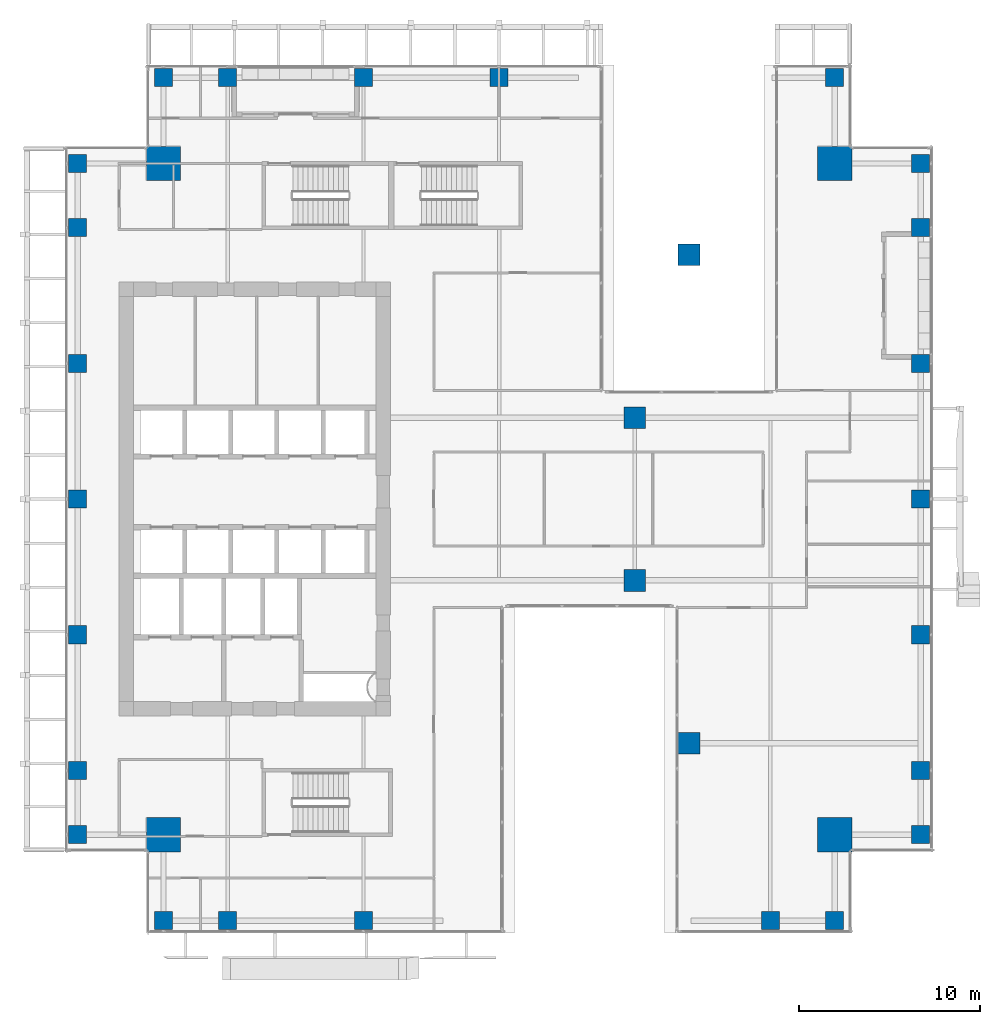
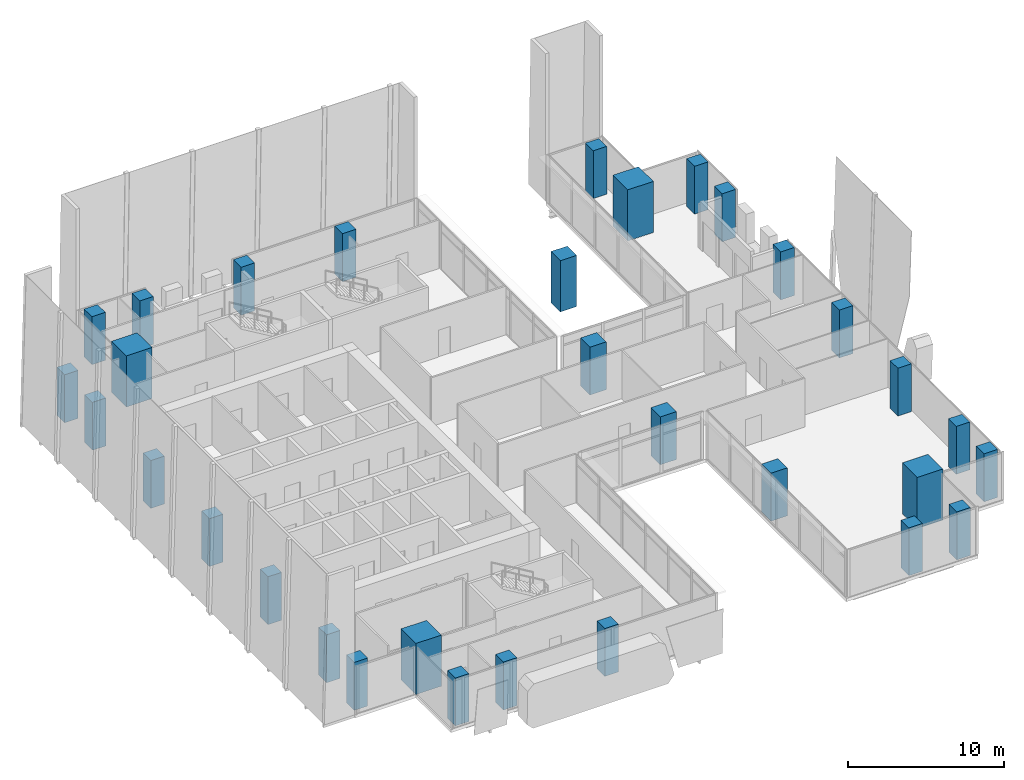
# One storey, part 1 of 40: 32 columns.
"""IFC4 building model written with IfcOpenShell, lengths in metres."""

from ifc_helpers import new_model, si_unit, direction, frame, origin, origin_2d, place, context, subcontext, project, spatial, rectangle, extrude, source, transform, mapped, material, material_profile, profile_set, type_object, element, save


model = new_model("IFC4")

# Units and contexts
model_context = context("Model", 3, precision=1e-05, world=origin(), true_north=direction((0.0, 1.0)))
body_context = subcontext(model_context, "Body", "Model", "MODEL_VIEW")
ifc_project = project(units=[si_unit("LENGTHUNIT", "METRE"), si_unit("AREAUNIT", "SQUARE_METRE"), si_unit("VOLUMEUNIT", "CUBIC_METRE"), si_unit("PLANEANGLEUNIT", "RADIAN"), si_unit("MASSUNIT", "GRAM", prefix="KILO")], contexts=[model_context])

# Site, building, storey
site_placement = place(None, origin())
site = spatial("IfcSite", under=ifc_project, at=site_placement, CompositionType="ELEMENT")
building_placement = place(site_placement, origin())
building = spatial("IfcBuilding", under=site, at=building_placement, Name="Khomas Fold Tower", CompositionType="ELEMENT")
storey_placement = place(building_placement, frame((0.0, 0.0, 176.699951171875)))
storey = spatial("IfcBuildingStorey", under=building, at=storey_placement, Name="L38", CompositionType="ELEMENT", Elevation=176.699951171875)

# Columns
ifc_material_1 = material(Name="Concrete C60/75", Category="concrete")
ifc_material_profile_1 = material_profile(ifc_material_1, rectangle(XDim=1.199951171875, YDim=1.199951171875, at=origin_2d()), Name="RC 1200x1200")
ifc_profile_set_1 = profile_set([ifc_material_profile_1], Name="Concrete C60/75")
column_type_1 = type_object("IfcColumnType", Name="RC 1200x1200 column", PredefinedType="COLUMN", material=ifc_profile_set_1)
shared_shape_1 = source(origin(), body_context, "Body", "SweptSolid", [
    extrude(rectangle(XDim=1.199951171875, YDim=1.199951171875, at=origin_2d()), origin(), (0.0, 0.0, 1.0), 4.0),
])
column_placement = place(storey_placement, frame((37.5, 40.5, 0.0), z_axis=(0.0, 0.0, 1.0), x_axis=(1.0, 0.0, 0.0)))
element("IfcColumn", 1, at=column_placement, inside=storey, type_object=column_type_1, Name="C-11-P", PredefinedType="COLUMN", context=body_context, shape_type="MappedRepresentation", body=[
    mapped(shared_shape_1, transform((0.0, 0.0, 0.0))),
])
ifc_material_2 = material(Name="Concrete C60/75", Category="concrete")
ifc_material_profile_2 = material_profile(ifc_material_2, rectangle(XDim=1.89990234375, YDim=1.89990234375, at=origin_2d()), Name="RC 1900x1900")
ifc_profile_set_2 = profile_set([ifc_material_profile_2], Name="Concrete C60/75")
column_type_2 = type_object("IfcColumnType", Name="RC 1900x1900 column", PredefinedType="COLUMN", material=ifc_profile_set_2)
shared_shape_2 = source(origin(), body_context, "Body", "SweptSolid", [
    extrude(rectangle(XDim=1.89990234375, YDim=1.89990234375, at=origin_2d()), origin(), (0.0, 0.0, 1.0), 4.0),
])
for number, where, z_axis, x_axis, name in (
    (2, (45.550048828125, 45.550048828125, 0.0), (0.0, 0.0, 1.0), (1.0, 0.0, 0.0), "CM-NE"),
    (3, (8.449951171875, 45.550048828125, 0.0), (0.0, 0.0, 1.0), (1.0, 0.0, 0.0), "CM-NW"),
    (4, (45.550048828125, 8.449951171875, 0.0), (0.0, 0.0, 1.0), (1.0, 0.0, 0.0), "CM-SE"),
    (5, (8.449951171875, 8.449951171875, 0.0), (0.0, 0.0, 1.0), (1.0, 0.0, 0.0), "CM-SW"),
):
    element("IfcColumn", number, at=place(storey_placement, frame(where, z_axis=z_axis, x_axis=x_axis)), inside=storey, type_object=column_type_2, Name=name, PredefinedType="COLUMN", context=body_context, shape_type="MappedRepresentation", body=[
        mapped(shared_shape_2, transform((0.0, 0.0, 0.0))),
    ])
ifc_material_3 = material(Name="Concrete C50/60", Category="concrete")
ifc_material_profile_3 = material_profile(ifc_material_3, rectangle(XDim=1.0, YDim=1.0, at=origin_2d()), Name="RC 1000x1000")
ifc_profile_set_3 = profile_set([ifc_material_profile_3], Name="Concrete C50/60")
column_type_3 = type_object("IfcColumnType", Name="RC 1000x1000 column", PredefinedType="COLUMN", material=ifc_profile_set_3)
shared_shape_3 = source(origin(), body_context, "Body", "SweptSolid", [
    extrude(rectangle(XDim=1.0, YDim=1.0, at=origin_2d()), origin(), (0.0, 0.0, 1.0), 3.75),
])
for number, where, z_axis, x_axis, name in (
    (6, (8.449951171875, 3.699951171875, 0.0), (0.0, 0.0, 1.0), (1.0, 0.0, 0.0), "C-4-SF3"),
    (7, (12.0, 3.699951171875, 0.0), (0.0, 0.0, 1.0), (1.0, 0.0, 0.0), "C-6-SF3"),
    (8, (19.5, 3.699951171875, 0.0), (0.0, 0.0, 1.0), (1.0, 0.0, 0.0), "C-8-SF3"),
    (9, (42.0, 3.699951171875, 0.0), (0.0, 0.0, 1.0), (1.0, 0.0, 0.0), "C-13-SF3"),
    (10, (45.550048828125, 3.699951171875, 0.0), (0.0, 0.0, 1.0), (1.0, 0.0, 0.0), "C-15-SF3"),
    (11, (50.300048828125, 8.449951171875, 0.0), (0.0, 0.0, 1.0), (1.0, 0.0, 0.0), "C-E3-D"),
    (12, (50.300048828125, 12.0, 0.0), (0.0, 0.0, 1.0), (1.0, 0.0, 0.0), "C-E3-F"),
    (13, (50.300048828125, 19.5, 0.0), (0.0, 0.0, 1.0), (1.0, 0.0, 0.0), "C-E3-J"),
    (14, (50.300048828125, 27.0, 0.0), (0.0, 0.0, 1.0), (1.0, 0.0, 0.0), "C-E3-L"),
    (15, (50.300048828125, 34.5, 0.0), (0.0, 0.0, 1.0), (1.0, 0.0, 0.0), "C-E3-N"),
    (16, (50.300048828125, 42.0, 0.0), (0.0, 0.0, 1.0), (1.0, 0.0, 0.0), "C-E3-R"),
    (17, (50.300048828125, 45.550048828125, 0.0), (0.0, 0.0, 1.0), (1.0, 0.0, 0.0), "C-E3-T"),
    (18, (8.449951171875, 50.300048828125, 0.0), (0.0, 0.0, 1.0), (1.0, 0.0, 0.0), "C-4-NF3"),
    (19, (12.0, 50.300048828125, 0.0), (0.0, 0.0, 1.0), (1.0, 0.0, 0.0), "C-6-NF3"),
    (20, (19.5, 50.300048828125, 0.0), (0.0, 0.0, 1.0), (1.0, 0.0, 0.0), "C-8-NF3"),
    (21, (27.0, 50.300048828125, 0.0), (0.0, 0.0, 1.0), (1.0, 0.0, 0.0), "C-9-NF3"),
    (22, (45.550048828125, 50.300048828125, 0.0), (0.0, 0.0, 1.0), (1.0, 0.0, 0.0), "C-15-NF3"),
    (23, (3.699951171875, 8.449951171875, 0.0), (0.0, 0.0, 1.0), (1.0, 0.0, 0.0), "C-W3-D"),
    (24, (3.699951171875, 12.0, 0.0), (0.0, 0.0, 1.0), (1.0, 0.0, 0.0), "C-W3-F"),
    (25, (3.699951171875, 19.5, 0.0), (0.0, 0.0, 1.0), (1.0, 0.0, 0.0), "C-W3-J"),
    (26, (3.699951171875, 27.0, 0.0), (0.0, 0.0, 1.0), (1.0, 0.0, 0.0), "C-W3-L"),
    (27, (3.699951171875, 34.5, 0.0), (0.0, 0.0, 1.0), (1.0, 0.0, 0.0), "C-W3-N"),
    (28, (3.699951171875, 42.0, 0.0), (0.0, 0.0, 1.0), (1.0, 0.0, 0.0), "C-W3-R"),
    (29, (3.699951171875, 45.550048828125, 0.0), (0.0, 0.0, 1.0), (1.0, 0.0, 0.0), "C-W3-T"),
):
    element("IfcColumn", number, at=place(storey_placement, frame(where, z_axis=z_axis, x_axis=x_axis)), inside=storey, type_object=column_type_3, Name=name, PredefinedType="COLUMN", context=body_context, shape_type="MappedRepresentation", body=[
        mapped(shared_shape_3, transform((0.0, 0.0, 0.0))),
    ])
shared_shape_4 = source(origin(), body_context, "Body", "SweptSolid", [
    extrude(rectangle(XDim=1.199951171875, YDim=1.199951171875, at=origin_2d()), origin(), (0.0, 0.0, 1.0), 3.75),
])
for number, where, z_axis, x_axis, name in (
    (30, (37.5, 13.5, 0.0), (0.0, 0.0, 1.0), (1.0, 0.0, 0.0), "C-11-H"),
    (31, (34.5, 22.5, 0.0), (0.0, 0.0, 1.0), (1.0, 0.0, 0.0), "C-10-K"),
    (32, (34.5, 31.5, 0.0), (0.0, 0.0, 1.0), (1.0, 0.0, 0.0), "C-10-M"),
):
    element("IfcColumn", number, at=place(storey_placement, frame(where, z_axis=z_axis, x_axis=x_axis)), inside=storey, type_object=column_type_1, Name=name, PredefinedType="COLUMN", context=body_context, shape_type="MappedRepresentation", body=[
        mapped(shared_shape_4, transform((0.0, 0.0, 0.0))),
    ])

save(model, "model.ifc")
